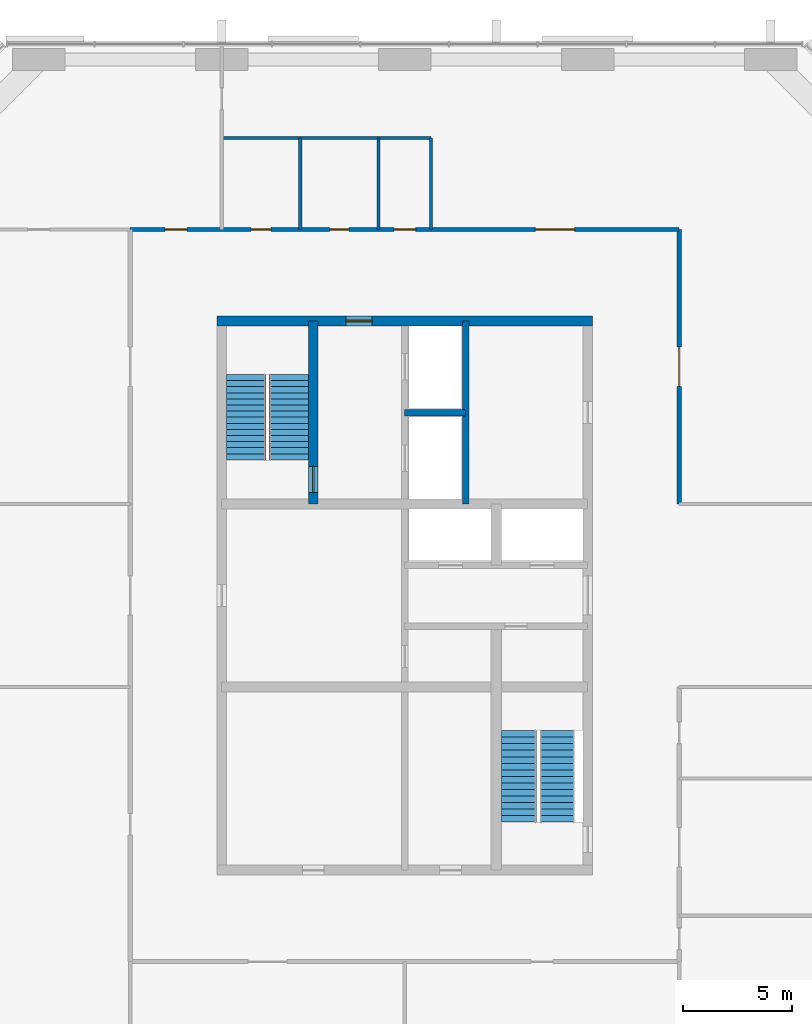
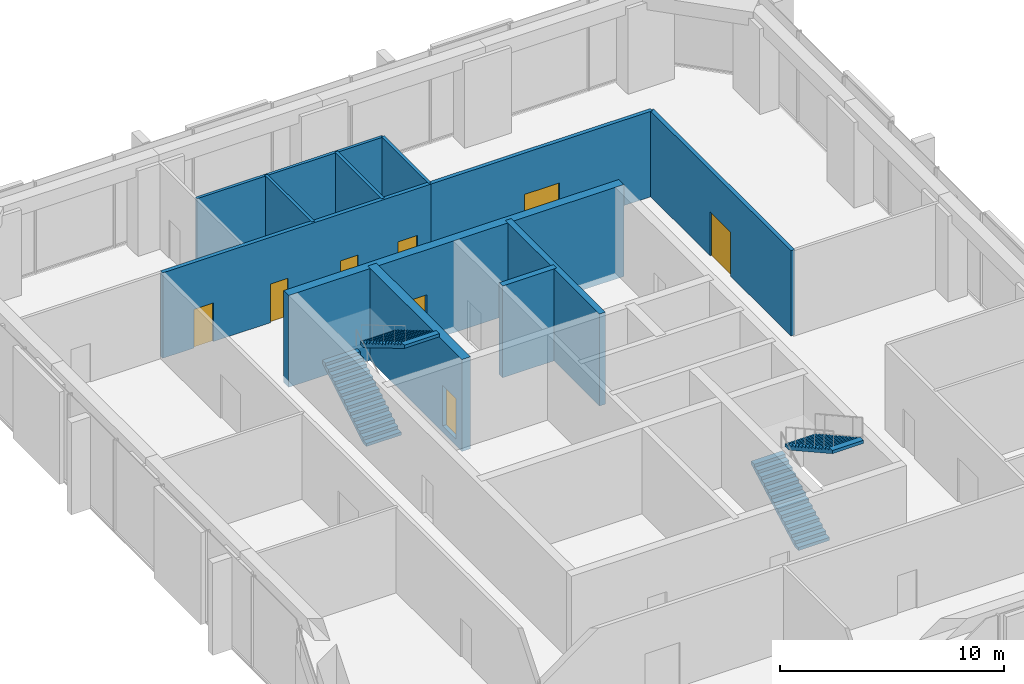
# One storey, part 8 of 9: 11 walls, 8 doors, 4 stair flights, 8 openings, 2 elements without a shape of their own.
"""IFC4 building model written with IfcOpenShell, lengths in metres."""

from ifc_helpers import new_model, si_unit, direction, frame, frame_2d, origin, place, context, subcontext, project, spatial, polyline, rectangle, outline, extrude, material, layer, layer_set, type_object, element, fill, aggregate, save


model = new_model("IFC4")

# Units and contexts
model_context = context("Model", 3, precision=1e-05, world=origin(), true_north=direction((0.0, 1.0)))
body_context = subcontext(model_context, "Body", "Model", "MODEL_VIEW")
ifc_project = project(units=[si_unit("LENGTHUNIT", "METRE"), si_unit("AREAUNIT", "SQUARE_METRE"), si_unit("VOLUMEUNIT", "CUBIC_METRE"), si_unit("PLANEANGLEUNIT", "RADIAN"), si_unit("MASSUNIT", "GRAM", prefix="KILO")], contexts=[model_context])

# Site, building, storey
site_placement = place(None, origin())
site = spatial("IfcSite", under=ifc_project, at=site_placement, CompositionType="ELEMENT")
building_placement = place(site_placement, origin())
building = spatial("IfcBuilding", under=site, at=building_placement, Name="Dunama Terrace Hotel", CompositionType="ELEMENT")
storey_placement = place(building_placement, frame((0.0, 0.0, 284.10009765625)))
storey = spatial("IfcBuildingStorey", under=building, at=storey_placement, Name="L73", CompositionType="ELEMENT", Elevation=284.10009765625)

# Walls
ifc_material_1 = material(Name="Concrete C50/60", Category="concrete")
ifc_layer_1 = layer(ifc_material_1, 0.300048828125)
ifc_layer_set_1 = layer_set([ifc_layer_1], Name="Core inner wall 300")
wall_type_1 = type_object("IfcWallType", Name="Core inner wall 300", PredefinedType="SHEAR", material=ifc_layer_set_1)
wall_1_placement = place(storey_placement, frame((36.39990234375, 33.60009765625, -0.35009765625), z_axis=(0.0, 0.0, 1.0), x_axis=(0.0, 1.0, 0.0)))
element("IfcWall", 1, at=wall_1_placement, inside=storey, type_object=wall_type_1, Name="Core inner wall 300 L73", PredefinedType="SHEAR", context=body_context, shape_type="SweptSolid", body=[
    extrude(rectangle(XDim=8.39990234375, YDim=0.300048828125, at=frame_2d((4.199951171875, 0.0))), origin(), (0.0, 0.0, 1.0), 5.0),
])
wall_2_placement = place(storey_placement, frame((33.60009765625, 37.800048828125, -0.35009765625), z_axis=(0.0, 0.0, 1.0), x_axis=(1.0, 0.0, 0.0)))
element("IfcWall", 2, at=wall_2_placement, inside=storey, type_object=wall_type_1, Name="Core inner wall 300 L73", PredefinedType="SHEAR", context=body_context, shape_type="SweptSolid", body=[
    extrude(rectangle(XDim=2.7998046875, YDim=0.300048828125, at=frame_2d((1.39990234375, 0.0))), origin(), (0.0, 0.0, 1.0), 5.0),
])

# Wall, opening, door
ifc_material_2 = material(Name="Concrete C50/60", Category="concrete")
ifc_layer_2 = layer(ifc_material_2, 0.449951171875)
ifc_layer_set_2 = layer_set([ifc_layer_2], Name="Core inner wall 450")
wall_type_2 = type_object("IfcWallType", Name="Core inner wall 450", PredefinedType="SHEAR", material=ifc_layer_set_2)
wall_3_placement = place(storey_placement, frame((29.39990234375, 33.60009765625, -0.35009765625), z_axis=(0.0, 0.0, 1.0), x_axis=(0.0, 1.0, 0.0)))
wall_3 = element("IfcWall", 3, at=wall_3_placement, inside=storey, type_object=wall_type_2, Name="Core inner wall 450 L73", PredefinedType="SHEAR", context=body_context, shape_type="SweptSolid", body=[
    extrude(rectangle(XDim=8.39990234375, YDim=0.449951171875, at=frame_2d((4.199951171875, 0.0))), origin(), (0.0, 0.0, 1.0), 5.0),
])
opening_1_placement = place(wall_3_placement, frame((0.52490234375, 0.0, 0.35009765625)))
opening_1 = element("IfcOpeningElement", 4, at=opening_1_placement, cuts=wall_3, Name="Opening L73-001", PredefinedType="OPENING", context=body_context, shape_type="SweptSolid", body=[
    extrude(rectangle(XDim=1.199951171875, YDim=2.199951171875, at=frame_2d((0.60009765625, 1.10009765625))), frame((0.0, 0.23486328125, 0.0), z_axis=(0.0, -1.0, 0.0), x_axis=(1.0, 0.0, 0.0)), (0.0, 0.0, 1.0), 0.469970703125),
])
ifc_material_3 = material(Name="Timber door with steel frame", Category="steel")
door_type_1 = type_object("IfcDoorType", Name="Stair door 1200", OperationType="SINGLE_SWING_LEFT", PredefinedType="DOOR", material=ifc_material_3)
door_1_placement = place(opening_1_placement, origin())
door_1 = element("IfcDoor", 5, at=door_1_placement, inside=storey, type_object=door_type_1, Name="Stair door ST1 L73-001, type D5", OperationType="SINGLE_SWING_LEFT", OverallHeight=2.199951171875, OverallWidth=1.199951171875, PredefinedType="DOOR", context=body_context, shape_type="SweptSolid", body=[
    extrude(rectangle(XDim=1.199951171875, YDim=2.199951171875, at=frame_2d((0.60009765625, 1.10009765625))), frame((0.0, 0.02490234375, 0.0), z_axis=(0.0, -1.0, 0.0), x_axis=(1.0, 0.0, 0.0)), (0.0, 0.0, 1.0), 0.050048828125),
])
fill(opening_1, door_1)

ifc_material_4 = material(Name="Concrete C50/60", Category="concrete")
ifc_layer_3 = layer(ifc_material_4, 0.449951171875)
ifc_layer_set_3 = layer_set([ifc_layer_3], Name="Core wall 450")
wall_type_3 = type_object("IfcWallType", Name="Core wall 450", PredefinedType="SHEAR", material=ifc_layer_set_3)
wall_4_placement = place(storey_placement, frame((42.22509765625, 42.0, -0.35009765625), z_axis=(0.0, 0.0, 1.0), x_axis=(-1.0, 0.0, 0.0)))
wall_4 = element("IfcWall", 6, at=wall_4_placement, inside=storey, type_object=wall_type_3, Name="Core wall north L73", PredefinedType="SHEAR", context=body_context, shape_type="SweptSolid", body=[
    extrude(rectangle(XDim=17.25, YDim=0.449951171875, at=frame_2d((8.625, 0.0))), origin(), (0.0, 0.0, 1.0), 5.0),
])
opening_2_placement = place(wall_4_placement, frame((10.125, 0.0, 0.35009765625)))
opening_2 = element("IfcOpeningElement", 7, at=opening_2_placement, cuts=wall_4, Name="Opening L73-011", PredefinedType="OPENING", context=body_context, shape_type="SweptSolid", body=[
    extrude(rectangle(XDim=1.199951171875, YDim=2.199951171875, at=frame_2d((0.60009765625, 1.10009765625))), frame((0.0, 0.23486328125, 0.0), z_axis=(0.0, -1.0, 0.0), x_axis=(1.0, 0.0, 0.0)), (0.0, 0.0, 1.0), 0.469970703125),
])
ifc_material_5 = material(Name="Timber door with steel frame", Category="steel")
door_type_2 = type_object("IfcDoorType", Name="Firefighting lobby door 1200", OperationType="SINGLE_SWING_LEFT", PredefinedType="DOOR", material=ifc_material_5)
door_2_placement = place(opening_2_placement, origin())
door_2 = element("IfcDoor", 8, at=door_2_placement, inside=storey, type_object=door_type_2, Name="Door to firefighting lobby L73-011, type D4", OperationType="SINGLE_SWING_RIGHT", OverallHeight=2.199951171875, OverallWidth=1.199951171875, PredefinedType="DOOR", context=body_context, shape_type="SweptSolid", body=[
    extrude(rectangle(XDim=1.199951171875, YDim=2.199951171875, at=frame_2d((0.60009765625, 1.10009765625))), frame((0.0, 0.02490234375, 0.0), z_axis=(0.0, -1.0, 0.0), x_axis=(1.0, 0.0, 0.0)), (0.0, 0.0, 1.0), 0.050048828125),
])
fill(opening_2, door_2)

ifc_material_6 = material(Name="Concrete blockwork", Category="masonry")
ifc_layer_4 = layer(ifc_material_6, 0.199951171875)
ifc_layer_set_4 = layer_set([ifc_layer_4], Name="Corridor partition 200")
wall_type_4 = type_object("IfcWallType", Name="Corridor partition 200", PredefinedType="PARTITIONING", material=ifc_layer_set_4)
wall_5_placement = place(storey_placement, frame((46.199951171875, 33.60009765625, 0.0), z_axis=(0.0, 0.0, 1.0), x_axis=(0.0, 1.0, 0.0)))
wall_5 = element("IfcWall", 9, at=wall_5_placement, inside=storey, type_object=wall_type_4, Name="Corridor partition 200 L73", PredefinedType="PARTITIONING", context=body_context, shape_type="SweptSolid", body=[
    extrude(rectangle(XDim=12.599853515625, YDim=0.199951171875, at=frame_2d((6.2998046875, 0.0))), origin(), (0.0, 0.0, 1.0), 4.64990234375),
])
opening_3_placement = place(wall_5_placement, frame((5.39990234375, 0.0, 0.0)))
opening_3 = element("IfcOpeningElement", 10, at=opening_3_placement, cuts=wall_5, Name="Opening L73-015", PredefinedType="OPENING", context=body_context, shape_type="SweptSolid", body=[
    extrude(rectangle(XDim=1.800048828125, YDim=2.39990234375, at=frame_2d((0.89990234375, 1.199951171875))), frame((0.0, 0.10986328125, 0.0), z_axis=(0.0, -1.0, 0.0), x_axis=(1.0, 0.0, 0.0)), (0.0, 0.0, 1.0), 0.219970703125),
])
ifc_material_7 = material(Name="Aluminium-framed glazed door", Category="aluminium")
door_type_3 = type_object("IfcDoorType", Name="Glazed double door 1800", OperationType="DOUBLE_DOOR_DOUBLE_SWING", PredefinedType="DOOR", material=ifc_material_7)
door_3_placement = place(opening_3_placement, origin())
door_3 = element("IfcDoor", 11, at=door_3_placement, inside=storey, type_object=door_type_3, Name="Door to club lounge bar L73-015, type D8", OperationType="DOUBLE_DOOR_DOUBLE_SWING", OverallHeight=2.39990234375, OverallWidth=1.800048828125, PredefinedType="DOOR", context=body_context, shape_type="SweptSolid", body=[
    extrude(rectangle(XDim=1.800048828125, YDim=2.39990234375, at=frame_2d((0.89990234375, 1.199951171875))), frame((0.0, 0.02490234375, 0.0), z_axis=(0.0, -1.0, 0.0), x_axis=(1.0, 0.0, 0.0)), (0.0, 0.0, 1.0), 0.050048828125),
])
fill(opening_3, door_3)

# Wall, openings, doors
wall_6_placement = place(storey_placement, frame((21.0, 46.199951171875, 0.0), z_axis=(0.0, 0.0, 1.0), x_axis=(1.0, 0.0, 0.0)))
wall_6 = element("IfcWall", 12, at=wall_6_placement, inside=storey, type_object=wall_type_4, Name="Corridor partition 200 L73", PredefinedType="PARTITIONING", context=body_context, shape_type="SweptSolid", body=[
    extrude(rectangle(XDim=13.800048828125, YDim=0.199951171875, at=frame_2d((6.89990234375, 0.0))), origin(), (0.0, 0.0, 1.0), 4.64990234375),
])
opening_4_placement = place(wall_6_placement, frame((1.60009765625, 0.0, 0.0)))
opening_4 = element("IfcOpeningElement", 13, at=opening_4_placement, cuts=wall_6, Name="Opening L73-019", PredefinedType="OPENING", context=body_context, shape_type="SweptSolid", body=[
    extrude(rectangle(XDim=1.0, YDim=2.10009765625, at=frame_2d((0.5, 1.050048828125))), frame((0.0, 0.10986328125, 0.0), z_axis=(0.0, -1.0, 0.0), x_axis=(1.0, 0.0, 0.0)), (0.0, 0.0, 1.0), 0.219970703125),
])
opening_5_placement = place(wall_6_placement, frame((5.550048828125, 0.0, 0.0)))
opening_5 = element("IfcOpeningElement", 14, at=opening_5_placement, cuts=wall_6, Name="Opening L73-020", PredefinedType="OPENING", context=body_context, shape_type="SweptSolid", body=[
    extrude(rectangle(XDim=0.89990234375, YDim=2.10009765625, at=frame_2d((0.449951171875, 1.050048828125))), frame((0.0, 0.10986328125, 0.0), z_axis=(0.0, -1.0, 0.0), x_axis=(1.0, 0.0, 0.0)), (0.0, 0.0, 1.0), 0.219970703125),
])
opening_6_placement = place(wall_6_placement, frame((9.14990234375, 0.0, 0.0)))
opening_6 = element("IfcOpeningElement", 15, at=opening_6_placement, cuts=wall_6, Name="Opening L73-021", PredefinedType="OPENING", context=body_context, shape_type="SweptSolid", body=[
    extrude(rectangle(XDim=0.89990234375, YDim=2.10009765625, at=frame_2d((0.449951171875, 1.050048828125))), frame((0.0, 0.10986328125, 0.0), z_axis=(0.0, -1.0, 0.0), x_axis=(1.0, 0.0, 0.0)), (0.0, 0.0, 1.0), 0.219970703125),
])
opening_7_placement = place(wall_6_placement, frame((12.10009765625, 0.0, 0.0)))
opening_7 = element("IfcOpeningElement", 16, at=opening_7_placement, cuts=wall_6, Name="Opening L73-022", PredefinedType="OPENING", context=body_context, shape_type="SweptSolid", body=[
    extrude(rectangle(XDim=1.0, YDim=2.10009765625, at=frame_2d((0.5, 1.050048828125))), frame((0.0, 0.10986328125, 0.0), z_axis=(0.0, -1.0, 0.0), x_axis=(1.0, 0.0, 0.0)), (0.0, 0.0, 1.0), 0.219970703125),
])
ifc_material_8 = material(Name="Timber door with steel frame", Category="steel")
door_type_4 = type_object("IfcDoorType", Name="Accessible room door 1000", OperationType="SINGLE_SWING_LEFT", PredefinedType="DOOR", material=ifc_material_8)
door_4_placement = place(opening_7_placement, origin())
door_4 = element("IfcDoor", 17, at=door_4_placement, inside=storey, type_object=door_type_4, Name="Door to accessible wc L73-022, type D17", OperationType="SINGLE_SWING_RIGHT", OverallHeight=2.10009765625, OverallWidth=1.0, PredefinedType="DOOR", context=body_context, shape_type="SweptSolid", body=[
    extrude(rectangle(XDim=1.0, YDim=2.10009765625, at=frame_2d((0.5, 1.050048828125))), frame((0.0, 0.02490234375, 0.0), z_axis=(0.0, -1.0, 0.0), x_axis=(1.0, 0.0, 0.0)), (0.0, 0.0, 1.0), 0.050048828125),
])
fill(opening_7, door_4)
ifc_material_9 = material(Name="Timber door with steel frame", Category="steel")
door_type_5 = type_object("IfcDoorType", Name="Service door 1000", OperationType="SINGLE_SWING_LEFT", PredefinedType="DOOR", material=ifc_material_9)
door_5_placement = place(opening_4_placement, origin())
door_5 = element("IfcDoor", 18, at=door_5_placement, inside=storey, type_object=door_type_5, Name="Door to club kitchen L73-019, type D7", OperationType="SINGLE_SWING_LEFT", OverallHeight=2.10009765625, OverallWidth=1.0, PredefinedType="DOOR", context=body_context, shape_type="SweptSolid", body=[
    extrude(rectangle(XDim=1.0, YDim=2.10009765625, at=frame_2d((0.5, 1.050048828125))), frame((0.0, 0.02490234375, 0.0), z_axis=(0.0, -1.0, 0.0), x_axis=(1.0, 0.0, 0.0)), (0.0, 0.0, 1.0), 0.050048828125),
])
fill(opening_4, door_5)
ifc_material_10 = material(Name="Timber door with steel frame", Category="steel")
door_type_6 = type_object("IfcDoorType", Name="WC door 900", OperationType="SINGLE_SWING_LEFT", PredefinedType="DOOR", material=ifc_material_10)
door_6_placement = place(opening_5_placement, origin())
door_6 = element("IfcDoor", 19, at=door_6_placement, inside=storey, type_object=door_type_6, Name="Door to male wc L73-020, type D6", OperationType="SINGLE_SWING_RIGHT", OverallHeight=2.10009765625, OverallWidth=0.89990234375, PredefinedType="DOOR", context=body_context, shape_type="SweptSolid", body=[
    extrude(rectangle(XDim=0.89990234375, YDim=2.10009765625, at=frame_2d((0.449951171875, 1.050048828125))), frame((0.0, 0.02490234375, 0.0), z_axis=(0.0, -1.0, 0.0), x_axis=(1.0, 0.0, 0.0)), (0.0, 0.0, 1.0), 0.050048828125),
])
fill(opening_5, door_6)
door_7_placement = place(opening_6_placement, origin())
door_7 = element("IfcDoor", 20, at=door_7_placement, inside=storey, type_object=door_type_6, Name="Door to female wc L73-021, type D6", OperationType="SINGLE_SWING_LEFT", OverallHeight=2.10009765625, OverallWidth=0.89990234375, PredefinedType="DOOR", context=body_context, shape_type="SweptSolid", body=[
    extrude(rectangle(XDim=0.89990234375, YDim=2.10009765625, at=frame_2d((0.449951171875, 1.050048828125))), frame((0.0, 0.02490234375, 0.0), z_axis=(0.0, -1.0, 0.0), x_axis=(1.0, 0.0, 0.0)), (0.0, 0.0, 1.0), 0.050048828125),
])
fill(opening_6, door_7)

# Wall, opening, door
wall_7_placement = place(storey_placement, frame((46.199951171875, 46.199951171875, 0.0), z_axis=(0.0, 0.0, 1.0), x_axis=(-1.0, 0.0, 0.0)))
wall_7 = element("IfcWall", 21, at=wall_7_placement, inside=storey, type_object=wall_type_4, Name="Corridor partition 200 L73", PredefinedType="PARTITIONING", context=body_context, shape_type="SweptSolid", body=[
    extrude(rectangle(XDim=11.39990234375, YDim=0.199951171875, at=frame_2d((5.699951171875, 0.0))), origin(), (0.0, 0.0, 1.0), 4.64990234375),
])
opening_8_placement = place(wall_7_placement, frame((4.800048828125, 0.0, 0.0)))
opening_8 = element("IfcOpeningElement", 22, at=opening_8_placement, cuts=wall_7, Name="Opening L73-016", PredefinedType="OPENING", context=body_context, shape_type="SweptSolid", body=[
    extrude(rectangle(XDim=1.800048828125, YDim=2.39990234375, at=frame_2d((0.89990234375, 1.199951171875))), frame((0.0, 0.10986328125, 0.0), z_axis=(0.0, -1.0, 0.0), x_axis=(1.0, 0.0, 0.0)), (0.0, 0.0, 1.0), 0.219970703125),
])
door_8_placement = place(opening_8_placement, origin())
door_8 = element("IfcDoor", 23, at=door_8_placement, inside=storey, type_object=door_type_3, Name="Door to club lounge L73-016, type D8", OperationType="DOUBLE_DOOR_DOUBLE_SWING", OverallHeight=2.39990234375, OverallWidth=1.800048828125, PredefinedType="DOOR", context=body_context, shape_type="SweptSolid", body=[
    extrude(rectangle(XDim=1.800048828125, YDim=2.39990234375, at=frame_2d((0.89990234375, 1.199951171875))), frame((0.0, 0.02490234375, 0.0), z_axis=(0.0, -1.0, 0.0), x_axis=(1.0, 0.0, 0.0)), (0.0, 0.0, 1.0), 0.050048828125),
])
fill(opening_8, door_8)

# Walls
ifc_material_11 = material(Name="Gypsum board partition", Category="masonry")
ifc_layer_5 = layer(ifc_material_11, 0.14990234375)
ifc_layer_set_5 = layer_set([ifc_layer_5], Name="Room partition 150")
wall_type_5 = type_object("IfcWallType", Name="Room partition 150", PredefinedType="PARTITIONING", material=ifc_layer_set_5)
for number, where, z_axis, x_axis, name in (
    (24, (28.800048828125, 46.199951171875, 0.0), (0.0, 0.0, 1.0), (0.0, 1.0, 0.0), "Room partition 150 L73"),
    (25, (32.39990234375, 46.199951171875, 0.0), (0.0, 0.0, 1.0), (0.0, 1.0, 0.0), "Room partition 150 L73"),
    (26, (34.800048828125, 46.199951171875, 0.0), (0.0, 0.0, 1.0), (0.0, 1.0, 0.0), "Room partition 150 L73"),
):
    element("IfcWall", number, at=place(storey_placement, frame(where, z_axis=z_axis, x_axis=x_axis)), inside=storey, type_object=wall_type_5, Name=name, PredefinedType="PARTITIONING", context=body_context, shape_type="SweptSolid", body=[
        extrude(rectangle(XDim=4.199951171875, YDim=0.14990234375, at=frame_2d((2.10009765625, 0.0))), origin(), (0.0, 0.0, 1.0), 4.64990234375),
    ])
wall_8_placement = place(storey_placement, frame((25.199951171875, 50.39990234375, 0.0), z_axis=(0.0, 0.0, 1.0), x_axis=(1.0, 0.0, 0.0)))
element("IfcWall", 27, at=wall_8_placement, inside=storey, type_object=wall_type_5, Name="Room partition 150 L73", PredefinedType="PARTITIONING", context=body_context, shape_type="SweptSolid", body=[
    extrude(rectangle(XDim=9.60009765625, YDim=0.14990234375, at=frame_2d((4.800048828125, 0.0))), origin(), (0.0, 0.0, 1.0), 4.64990234375),
])

# Stair, stair flights
ifc_material_12 = material(Name="Concrete C40/50", Category="concrete")
stair_type_1 = type_object("IfcStairType", Name="Stair ST1-5000-1800", PredefinedType="HALF_TURN_STAIR", material=ifc_material_12)
stair_1_placement = place(storey_placement, origin())
stair_1 = element("IfcStair", 28, at=stair_1_placement, inside=storey, type_object=stair_type_1, Name="Stair ST1 L73", PredefinedType="HALF_TURN_STAIR")
ifc_material_13 = material(Name="Concrete C40/50", Category="concrete")
stair_flight_type_1 = type_object("IfcStairFlightType", Name="Stair flight ST1-5000-1800", PredefinedType="STRAIGHT", material=ifc_material_13)
stair_flight_1_placement = place(storey_placement, frame((26.324951171875, 35.625, 0.0), z_axis=(0.0, 0.0, 1.0), x_axis=(0.0, 1.0, 0.0)))
stair_flight_1 = element("IfcStairFlight", 29, at=stair_flight_1_placement, type_object=stair_flight_type_1, Name="ST1 flight 1", NumberOfRisers=15, NumberOfTreads=14, PredefinedType="STRAIGHT", RiserHeight=0.166666667, TreadLength=0.28, context=body_context, shape_type="SweptSolid", body=[
    extrude(outline(polyline([(0.0, 0.0), (0.0, 0.166748046875), (0.280029296875, 0.166748046875), (0.280029296875, 0.333251953125), (0.56005859375, 0.333251953125), (0.56005859375, 0.5), (0.840087890625, 0.5), (0.840087890625, 0.666748046875), (1.1201171875, 0.666748046875), (1.1201171875, 0.833251953125), (1.39990234375, 0.833251953125), (1.39990234375, 1.0), (1.679931640625, 1.0), (1.679931640625, 1.166748046875), (1.9599609375, 1.166748046875), (1.9599609375, 1.333251953125), (2.239990234375, 1.333251953125), (2.239990234375, 1.5), (2.52001953125, 1.5), (2.52001953125, 1.666748046875), (2.800048828125, 1.666748046875), (2.800048828125, 1.833251953125), (3.080078125, 1.833251953125), (3.080078125, 2.0), (3.360107421875, 2.0), (3.360107421875, 2.166748046875), (3.639892578125, 2.166748046875), (3.639892578125, 2.333251953125), (3.919921875, 2.333251953125), (3.919921875, 2.5), (3.919921875, 2.158935546875), (0.29296875, 0.0), (0.0, 0.0)])), frame((0.0, 0.89990234375, 0.0), z_axis=(0.0, -1.0, 0.0), x_axis=(1.0, 0.0, 0.0)), (0.0, 0.0, 1.0), 1.800048828125),
])
stair_flight_2_placement = place(storey_placement, frame((28.27490234375, 39.544921875, 2.5), z_axis=(0.0, 0.0, 1.0), x_axis=(0.0, -1.0, 0.0)))
stair_flight_2 = element("IfcStairFlight", 30, at=stair_flight_2_placement, type_object=stair_flight_type_1, Name="ST1 flight 2", NumberOfRisers=15, NumberOfTreads=14, PredefinedType="STRAIGHT", RiserHeight=0.166666667, TreadLength=0.28, context=body_context, shape_type="SweptSolid", body=[
    extrude(outline(polyline([(0.0, 0.0), (0.0, 0.166748046875), (0.280029296875, 0.166748046875), (0.280029296875, 0.333251953125), (0.56005859375, 0.333251953125), (0.56005859375, 0.5), (0.840087890625, 0.5), (0.840087890625, 0.666748046875), (1.1201171875, 0.666748046875), (1.1201171875, 0.833251953125), (1.39990234375, 0.833251953125), (1.39990234375, 1.0), (1.679931640625, 1.0), (1.679931640625, 1.166748046875), (1.9599609375, 1.166748046875), (1.9599609375, 1.333251953125), (2.239990234375, 1.333251953125), (2.239990234375, 1.5), (2.52001953125, 1.5), (2.52001953125, 1.666748046875), (2.800048828125, 1.666748046875), (2.800048828125, 1.833251953125), (3.080078125, 1.833251953125), (3.080078125, 2.0), (3.360107421875, 2.0), (3.360107421875, 2.166748046875), (3.639892578125, 2.166748046875), (3.639892578125, 2.333251953125), (3.919921875, 2.333251953125), (3.919921875, 2.5), (3.919921875, 2.158935546875), (0.29296875, 0.0), (0.0, 0.0)])), frame((0.0, 0.89990234375, 0.0), z_axis=(0.0, -1.0, 0.0), x_axis=(1.0, 0.0, 0.0)), (0.0, 0.0, 1.0), 1.800048828125),
])
aggregate(stair_1, [stair_flight_1, stair_flight_2])

ifc_material_14 = material(Name="Concrete C40/50", Category="concrete")
stair_type_2 = type_object("IfcStairType", Name="Stair ST2-5000-1600", PredefinedType="HALF_TURN_STAIR", material=ifc_material_14)
stair_2_placement = place(storey_placement, origin())
stair_2 = element("IfcStair", 31, at=stair_2_placement, inside=storey, type_object=stair_type_2, Name="Stair ST2 L73", PredefinedType="HALF_TURN_STAIR")
ifc_material_15 = material(Name="Concrete C40/50", Category="concrete")
stair_flight_type_2 = type_object("IfcStairFlightType", Name="Stair flight ST2-5000-1600", PredefinedType="STRAIGHT", material=ifc_material_15)
stair_flight_3_placement = place(storey_placement, frame((38.85009765625, 19.0, 0.0), z_axis=(0.0, 0.0, 1.0), x_axis=(0.0, 1.0, 0.0)))
stair_flight_3 = element("IfcStairFlight", 32, at=stair_flight_3_placement, type_object=stair_flight_type_2, Name="ST2 flight 1", NumberOfRisers=15, NumberOfTreads=14, PredefinedType="STRAIGHT", RiserHeight=0.166666667, TreadLength=0.3, context=body_context, shape_type="SweptSolid", body=[
    extrude(outline(polyline([(0.0, 0.0), (0.0, 0.166748046875), (0.300048828125, 0.166748046875), (0.300048828125, 0.333251953125), (0.60009765625, 0.333251953125), (0.60009765625, 0.5), (0.89990234375, 0.5), (0.89990234375, 0.666748046875), (1.199951171875, 0.666748046875), (1.199951171875, 0.833251953125), (1.5, 0.833251953125), (1.5, 1.0), (1.800048828125, 1.0), (1.800048828125, 1.166748046875), (2.10009765625, 1.166748046875), (2.10009765625, 1.333251953125), (2.39990234375, 1.333251953125), (2.39990234375, 1.5), (2.699951171875, 1.5), (2.699951171875, 1.666748046875), (3.0, 1.666748046875), (3.0, 1.833251953125), (3.300048828125, 1.833251953125), (3.300048828125, 2.0), (3.60009765625, 2.0), (3.60009765625, 2.166748046875), (3.89990234375, 2.166748046875), (3.89990234375, 2.333251953125), (4.199951171875, 2.333251953125), (4.199951171875, 2.5), (4.199951171875, 2.161865234375), (0.30859375, 0.0), (0.0, 0.0)])), frame((0.0, 0.800048828125, 0.0), z_axis=(0.0, -1.0, 0.0), x_axis=(1.0, 0.0, 0.0)), (0.0, 0.0, 1.0), 1.60009765625),
])
stair_flight_4_placement = place(storey_placement, frame((40.60009765625, 23.199951171875, 2.5), z_axis=(0.0, 0.0, 1.0), x_axis=(0.0, -1.0, 0.0)))
stair_flight_4 = element("IfcStairFlight", 33, at=stair_flight_4_placement, type_object=stair_flight_type_2, Name="ST2 flight 2", NumberOfRisers=15, NumberOfTreads=14, PredefinedType="STRAIGHT", RiserHeight=0.166666667, TreadLength=0.3, context=body_context, shape_type="SweptSolid", body=[
    extrude(outline(polyline([(0.0, 0.0), (0.0, 0.166748046875), (0.300048828125, 0.166748046875), (0.300048828125, 0.333251953125), (0.60009765625, 0.333251953125), (0.60009765625, 0.5), (0.89990234375, 0.5), (0.89990234375, 0.666748046875), (1.199951171875, 0.666748046875), (1.199951171875, 0.833251953125), (1.5, 0.833251953125), (1.5, 1.0), (1.800048828125, 1.0), (1.800048828125, 1.166748046875), (2.10009765625, 1.166748046875), (2.10009765625, 1.333251953125), (2.39990234375, 1.333251953125), (2.39990234375, 1.5), (2.699951171875, 1.5), (2.699951171875, 1.666748046875), (3.0, 1.666748046875), (3.0, 1.833251953125), (3.300048828125, 1.833251953125), (3.300048828125, 2.0), (3.60009765625, 2.0), (3.60009765625, 2.166748046875), (3.89990234375, 2.166748046875), (3.89990234375, 2.333251953125), (4.199951171875, 2.333251953125), (4.199951171875, 2.5), (4.199951171875, 2.161865234375), (0.30859375, 0.0), (0.0, 0.0)])), frame((0.0, 0.800048828125, 0.0), z_axis=(0.0, -1.0, 0.0), x_axis=(1.0, 0.0, 0.0)), (0.0, 0.0, 1.0), 1.60009765625),
])
aggregate(stair_2, [stair_flight_3, stair_flight_4])

save(model, "model.ifc")
